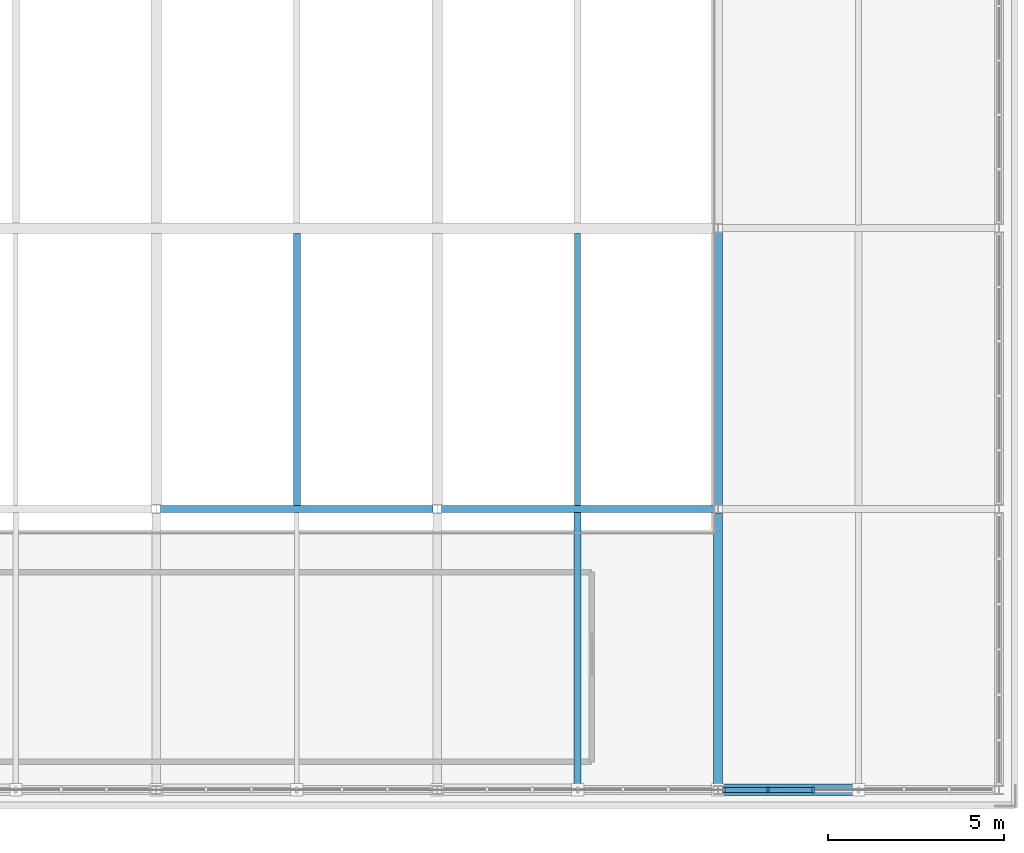
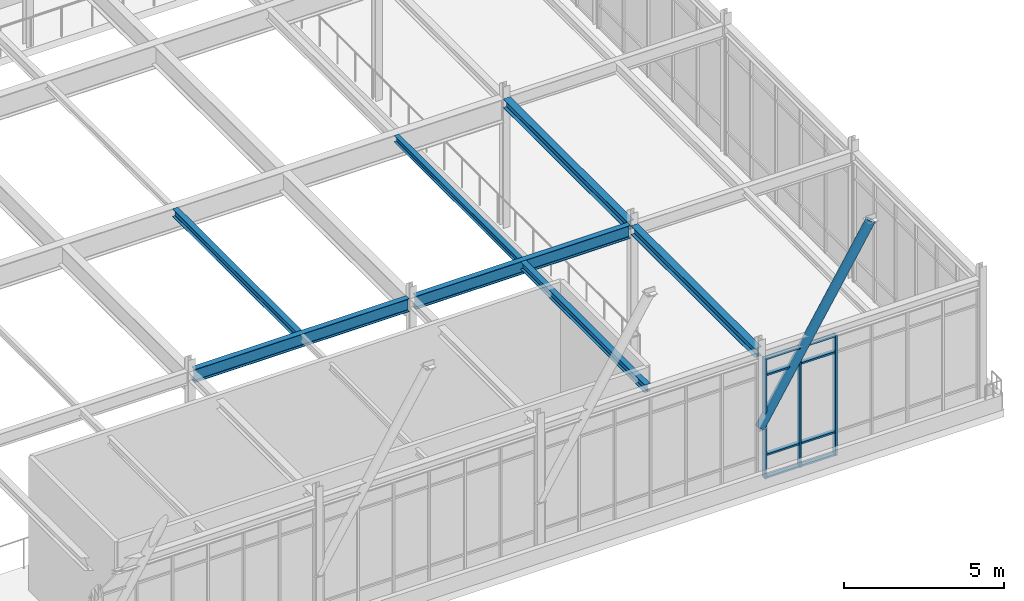
# One storey, part 50 of 108: 12 members, 7 beams, 1 element without a shape of its own.
"""IFC4 building model written with IfcOpenShell, lengths in metres."""

from ifc_helpers import new_model, si_unit, direction, frame, origin, origin_2d, place, context, subcontext, project, spatial, rectangle, hollow_circle, i_section, extrude, material, material_profile, profile_set, type_object, element, aggregate, save


model = new_model("IFC4")

# Units and contexts
model_context = context("Model", 3, precision=1e-05, world=origin(), true_north=direction((0.0, 1.0)))
body_context = subcontext(model_context, "Body", "Model", "MODEL_VIEW")
ifc_project = project(units=[si_unit("LENGTHUNIT", "METRE"), si_unit("AREAUNIT", "SQUARE_METRE"), si_unit("VOLUMEUNIT", "CUBIC_METRE"), si_unit("PLANEANGLEUNIT", "RADIAN"), si_unit("MASSUNIT", "GRAM", prefix="KILO")], contexts=[model_context])

# Site, building, storey
site_placement = place(None, origin())
site = spatial("IfcSite", under=ifc_project, at=site_placement, CompositionType="ELEMENT")
building_placement = place(site_placement, origin())
building = spatial("IfcBuilding", under=site, at=building_placement, Name="Zhaolan Boulevard Law Courts", CompositionType="ELEMENT")
storey_placement = place(building_placement, frame((0.0, 0.0, 10.800048828125)))
storey = spatial("IfcBuildingStorey", under=building, at=storey_placement, Name="L02", CompositionType="ELEMENT", Elevation=10.800048828125)

# Curtain wall, members
ifc_material_1 = material(Name="Thermally broken aluminium and low-E glazing", Category="aluminium")
curtain_wall_type = type_object("IfcCurtainWallType", Name="CURTAIN WALL M14", PredefinedType="USERDEFINED", material=ifc_material_1)
curtain_wall_placement = place(storey_placement, origin())
curtain_wall = element("IfcCurtainWall", 1, at=curtain_wall_placement, inside=storey, type_object=curtain_wall_type, Name="Curtain Wall CW-L02-086", ObjectType="CURTAIN WALL", PredefinedType="USERDEFINED")
ifc_material_2 = material(Name="Fluorocarbon-coated aluminium 6063-T6", Category="aluminium")
ifc_material_profile_1 = material_profile(ifc_material_2, rectangle(XDim=0.179931640625, YDim=0.06494140625, at=origin_2d()), Name="AL65x180")
ifc_profile_set_1 = profile_set([ifc_material_profile_1], Name="Fluorocarbon-coated aluminium 6063-T6")
member_type_1 = type_object("IfcMemberType", Name="CWMULLION 65X180", PredefinedType="MULLION", material=ifc_profile_set_1)
member_1_placement = place(storey_placement, frame((156.159423828125, 6.0, 0.0), z_axis=(0.0, 0.0, 1.0), x_axis=(0.0, 1.0, 0.0)))
member_1 = element("IfcMember", 2, at=member_1_placement, type_object=member_type_1, Name="CW-L02-086 mullion 1", PredefinedType="MULLION", context=body_context, shape_type="SweptSolid", body=[
    extrude(rectangle(XDim=0.179931640625, YDim=0.06494140625, at=origin_2d()), origin(), (0.0, 0.0, 1.0), 4.60302734375),
])
member_2_placement = place(storey_placement, frame((157.41796875, 6.0, 0.0), z_axis=(0.0, 0.0, 1.0), x_axis=(0.0, 1.0, 0.0)))
member_2 = element("IfcMember", 3, at=member_2_placement, type_object=member_type_1, Name="CW-L02-086 mullion 2", PredefinedType="MULLION", context=body_context, shape_type="SweptSolid", body=[
    extrude(rectangle(XDim=0.179931640625, YDim=0.06494140625, at=origin_2d()), origin(), (0.0, 0.0, 1.0), 4.60302734375),
])
member_3_placement = place(storey_placement, frame((158.708984375, 6.0, 0.0), z_axis=(0.0, 0.0, 1.0), x_axis=(0.0, 1.0, 0.0)))
member_3 = element("IfcMember", 4, at=member_3_placement, type_object=member_type_1, Name="CW-L02-086 mullion 3", PredefinedType="MULLION", context=body_context, shape_type="SweptSolid", body=[
    extrude(rectangle(XDim=0.179931640625, YDim=0.06494140625, at=origin_2d()), origin(), (0.0, 0.0, 1.0), 4.60302734375),
])
ifc_material_3 = material(Name="Fluorocarbon-coated aluminium 6063-T6", Category="aluminium")
ifc_material_profile_2 = material_profile(ifc_material_3, rectangle(XDim=0.139892578125, YDim=0.06494140625, at=origin_2d()), Name="AL65x140")
ifc_profile_set_2 = profile_set([ifc_material_profile_2], Name="Fluorocarbon-coated aluminium 6063-T6")
member_type_2 = type_object("IfcMemberType", Name="CWTRANSOM 65X140", PredefinedType="USERDEFINED", material=ifc_profile_set_2)
member_4_placement = place(storey_placement, frame((156.19189453125, 6.0, 0.032470703125), z_axis=(1.0, 0.0, 0.0), x_axis=(0.0, 1.0, 0.0)))
member_4 = element("IfcMember", 5, at=member_4_placement, type_object=member_type_2, Name="CW-L02-086 transom 1.1", ObjectType="TRANSOM", PredefinedType="USERDEFINED", context=body_context, shape_type="SweptSolid", body=[
    extrude(rectangle(XDim=0.139892578125, YDim=0.06494140625, at=origin_2d()), origin(), (0.0, 0.0, 1.0), 1.193603515625),
])
member_5_placement = place(storey_placement, frame((156.19189453125, 6.0, 0.89990234375), z_axis=(1.0, 0.0, 0.0), x_axis=(0.0, 1.0, 0.0)))
member_5 = element("IfcMember", 6, at=member_5_placement, type_object=member_type_2, Name="CW-L02-086 transom 1.2", ObjectType="TRANSOM", PredefinedType="USERDEFINED", context=body_context, shape_type="SweptSolid", body=[
    extrude(rectangle(XDim=0.139892578125, YDim=0.06494140625, at=origin_2d()), origin(), (0.0, 0.0, 1.0), 1.193603515625),
])
member_6_placement = place(storey_placement, frame((156.19189453125, 6.0, 3.952880859375), z_axis=(1.0, 0.0, 0.0), x_axis=(0.0, 1.0, 0.0)))
member_6 = element("IfcMember", 7, at=member_6_placement, type_object=member_type_2, Name="CW-L02-086 transom 1.3", ObjectType="TRANSOM", PredefinedType="USERDEFINED", context=body_context, shape_type="SweptSolid", body=[
    extrude(rectangle(XDim=0.139892578125, YDim=0.06494140625, at=origin_2d()), origin(), (0.0, 0.0, 1.0), 1.193603515625),
])
member_7_placement = place(storey_placement, frame((156.19189453125, 6.0, 4.570556640625), z_axis=(1.0, 0.0, 0.0), x_axis=(0.0, 1.0, 0.0)))
member_7 = element("IfcMember", 8, at=member_7_placement, type_object=member_type_2, Name="CW-L02-086 transom 1.4", ObjectType="TRANSOM", PredefinedType="USERDEFINED", context=body_context, shape_type="SweptSolid", body=[
    extrude(rectangle(XDim=0.139892578125, YDim=0.06494140625, at=origin_2d()), origin(), (0.0, 0.0, 1.0), 1.193603515625),
])
member_8_placement = place(storey_placement, frame((157.450439453125, 6.0, 0.032470703125), z_axis=(1.0, 0.0, 0.0), x_axis=(0.0, 1.0, 0.0)))
member_8 = element("IfcMember", 9, at=member_8_placement, type_object=member_type_2, Name="CW-L02-086 transom 2.1", ObjectType="TRANSOM", PredefinedType="USERDEFINED", context=body_context, shape_type="SweptSolid", body=[
    extrude(rectangle(XDim=0.139892578125, YDim=0.06494140625, at=origin_2d()), origin(), (0.0, 0.0, 1.0), 1.22607421875),
])
member_9_placement = place(storey_placement, frame((157.450439453125, 6.0, 0.89990234375), z_axis=(1.0, 0.0, 0.0), x_axis=(0.0, 1.0, 0.0)))
member_9 = element("IfcMember", 10, at=member_9_placement, type_object=member_type_2, Name="CW-L02-086 transom 2.2", ObjectType="TRANSOM", PredefinedType="USERDEFINED", context=body_context, shape_type="SweptSolid", body=[
    extrude(rectangle(XDim=0.139892578125, YDim=0.06494140625, at=origin_2d()), origin(), (0.0, 0.0, 1.0), 1.22607421875),
])
member_10_placement = place(storey_placement, frame((157.450439453125, 6.0, 3.952880859375), z_axis=(1.0, 0.0, 0.0), x_axis=(0.0, 1.0, 0.0)))
member_10 = element("IfcMember", 11, at=member_10_placement, type_object=member_type_2, Name="CW-L02-086 transom 2.3", ObjectType="TRANSOM", PredefinedType="USERDEFINED", context=body_context, shape_type="SweptSolid", body=[
    extrude(rectangle(XDim=0.139892578125, YDim=0.06494140625, at=origin_2d()), origin(), (0.0, 0.0, 1.0), 1.22607421875),
])
member_11_placement = place(storey_placement, frame((157.450439453125, 6.0, 4.570556640625), z_axis=(1.0, 0.0, 0.0), x_axis=(0.0, 1.0, 0.0)))
member_11 = element("IfcMember", 12, at=member_11_placement, type_object=member_type_2, Name="CW-L02-086 transom 2.4", ObjectType="TRANSOM", PredefinedType="USERDEFINED", context=body_context, shape_type="SweptSolid", body=[
    extrude(rectangle(XDim=0.139892578125, YDim=0.06494140625, at=origin_2d()), origin(), (0.0, 0.0, 1.0), 1.22607421875),
])
aggregate(curtain_wall, [member_1, member_2, member_3, member_4, member_5, member_6, member_7, member_8, member_9, member_10, member_11])

# Beams
ifc_material_4 = material(Name="Structural steel Q355B", Category="steel")
ifc_material_profile_3 = material_profile(ifc_material_4, i_section(OverallWidth=0.25, OverallDepth=0.340087890625, WebThickness=0.009033203125, FlangeThickness=0.013916015625, FilletRadius=0.01611328125, at=origin_2d()), Name="HM340x250")
ifc_profile_set_3 = profile_set([ifc_material_profile_3], Name="Structural steel Q355B")
beam_type_1 = type_object("IfcBeamType", Name="GIRDER HM340", PredefinedType="BEAM", material=ifc_profile_set_3)
for number, where, z_axis, x_axis, name in (
    (13, (156.0, 6.12109375, 4.787841796875), (0.0, 1.0, 0.0), (-1.0, 0.0, 0.0), "Beam BY-L03-20-B-C"),
    (14, (156.0, 14.12109375, 4.787841796875), (0.0, 1.0, 0.0), (-1.0, 0.0, 0.0), "Beam BY-L03-20-C-D"),
):
    element("IfcBeam", number, at=place(storey_placement, frame(where, z_axis=z_axis, x_axis=x_axis)), inside=storey, type_object=beam_type_1, Name=name, PredefinedType="BEAM", context=body_context, shape_type="SweptSolid", body=[
        extrude(i_section(OverallWidth=0.25, OverallDepth=0.340087890625, WebThickness=0.009033203125, FlangeThickness=0.013916015625, FilletRadius=0.01611328125, at=origin_2d()), origin(), (0.0, 0.0, 1.0), 7.7578125),
    ])
ifc_material_5 = material(Name="Structural steel Q355B", Category="steel")
ifc_material_profile_4 = material_profile(ifc_material_5, i_section(OverallWidth=0.199951171875, OverallDepth=0.5, WebThickness=0.010009765625, FlangeThickness=0.01611328125, FilletRadius=0.01806640625, at=origin_2d()), Name="HN500x200")
ifc_profile_set_4 = profile_set([ifc_material_profile_4], Name="Structural steel Q355B")
beam_type_2 = type_object("IfcBeamType", Name="GIRDER HN500", PredefinedType="BEAM", material=ifc_profile_set_4)
for number, where, z_axis, x_axis, name in (
    (15, (140.12109375, 14.0, 4.7080078125), (1.0, 0.0, 0.0), (0.0, 1.0, 0.0), "Beam BX-L03-18-19-C"),
    (16, (148.12109375, 14.0, 4.7080078125), (1.0, 0.0, 0.0), (0.0, 1.0, 0.0), "Beam BX-L03-19-20-C"),
):
    element("IfcBeam", number, at=place(storey_placement, frame(where, z_axis=z_axis, x_axis=x_axis)), inside=storey, type_object=beam_type_2, Name=name, PredefinedType="BEAM", context=body_context, shape_type="SweptSolid", body=[
        extrude(i_section(OverallWidth=0.199951171875, OverallDepth=0.5, WebThickness=0.010009765625, FlangeThickness=0.01611328125, FilletRadius=0.01806640625, at=origin_2d()), origin(), (0.0, 0.0, 1.0), 7.7578125),
    ])
ifc_material_6 = material(Name="Structural steel Q355B", Category="steel")
ifc_material_profile_5 = material_profile(ifc_material_6, i_section(OverallWidth=0.175048828125, OverallDepth=0.243896484375, WebThickness=0.007080078125, FlangeThickness=0.010986328125, FilletRadius=0.012939453125, at=origin_2d()), Name="HM244x175")
ifc_profile_set_5 = profile_set([ifc_material_profile_5], Name="Structural steel Q355B")
beam_type_3 = type_object("IfcBeamType", Name="JOIST HM244", PredefinedType="JOIST", material=ifc_profile_set_5)
beam_1_placement = place(storey_placement, frame((152.0, 14.095947265625, 4.8359375), z_axis=(0.0, 1.0, 0.0), x_axis=(-1.0, 0.0, 0.0)))
element("IfcBeam", 17, at=beam_1_placement, inside=storey, type_object=beam_type_3, Name="Composite Joist J-L03-19C", PredefinedType="JOIST", context=body_context, shape_type="SweptSolid", body=[
    extrude(i_section(OverallWidth=0.175048828125, OverallDepth=0.243896484375, WebThickness=0.007080078125, FlangeThickness=0.010986328125, FilletRadius=0.012939453125, at=origin_2d()), origin(), (0.0, 0.0, 1.0), 7.758056640625),
])
ifc_material_7 = material(Name="Structural steel Q355B", Category="steel")
ifc_material_profile_6 = material_profile(ifc_material_7, i_section(OverallWidth=0.199951171875, OverallDepth=0.2939453125, WebThickness=0.008056640625, FlangeThickness=0.011962890625, FilletRadius=0.01611328125, at=origin_2d()), Name="HM294x200")
ifc_profile_set_6 = profile_set([ifc_material_profile_6], Name="Structural steel Q355B")
beam_type_4 = type_object("IfcBeamType", Name="JOIST HM294", PredefinedType="JOIST", material=ifc_profile_set_6)
beam_2_placement = place(storey_placement, frame((144.0, 14.095947265625, 4.81103515625), z_axis=(0.0, 1.0, 0.0), x_axis=(-1.0, 0.0, 0.0)))
element("IfcBeam", 18, at=beam_2_placement, inside=storey, type_object=beam_type_4, Name="Composite Joist J-L03-18C", PredefinedType="JOIST", context=body_context, shape_type="SweptSolid", body=[
    extrude(i_section(OverallWidth=0.199951171875, OverallDepth=0.2939453125, WebThickness=0.008056640625, FlangeThickness=0.011962890625, FilletRadius=0.01611328125, at=origin_2d()), origin(), (0.0, 0.0, 1.0), 7.758056640625),
])
beam_3_placement = place(storey_placement, frame((152.0, 6.12109375, 4.81103515625), z_axis=(0.0, 1.0, 0.0), x_axis=(-1.0, 0.0, 0.0)))
element("IfcBeam", 19, at=beam_3_placement, inside=storey, type_object=beam_type_4, Name="Composite Joist J-L03-19B", PredefinedType="JOIST", context=body_context, shape_type="SweptSolid", body=[
    extrude(i_section(OverallWidth=0.199951171875, OverallDepth=0.2939453125, WebThickness=0.008056640625, FlangeThickness=0.011962890625, FilletRadius=0.01611328125, at=origin_2d()), origin(), (0.0, 0.0, 1.0), 7.782958984375),
])

# Member
ifc_material_8 = material(Name="Structural steel Q390B", Category="steel")
ifc_material_profile_7 = material_profile(ifc_material_8, hollow_circle(Radius=0.16259765625, WallThickness=0.011962890625, at=origin_2d()), Name="CHS325x12")
ifc_profile_set_7 = profile_set([ifc_material_profile_7], Name="Structural steel Q390B")
member_type_3 = type_object("IfcMemberType", Name="RAFTER CHS325", PredefinedType="RAFTER", material=ifc_profile_set_7)
member_12_placement = place(storey_placement, frame((156.0, 6.0, 2.0), z_axis=(0.52292874166, 0.0, 0.852376402269), x_axis=(0.0, 1.0, 0.0)))
element("IfcMember", 20, at=member_12_placement, inside=storey, type_object=member_type_3, Name="Folded-Plate Eave Strut FPS-5", PredefinedType="RAFTER", context=body_context, shape_type="SweptSolid", body=[
    extrude(hollow_circle(Radius=0.16259765625, WallThickness=0.011962890625, at=origin_2d()), origin(), (0.0, 0.0, 1.0), 7.649169921875),
])

save(model, "model.ifc")
